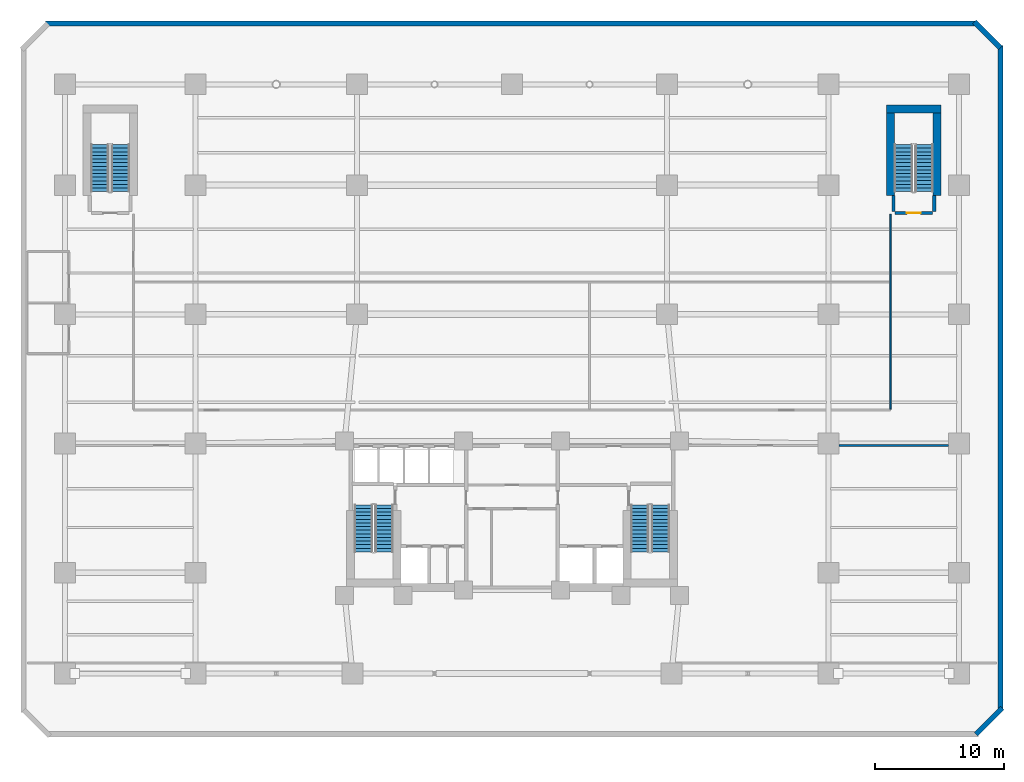
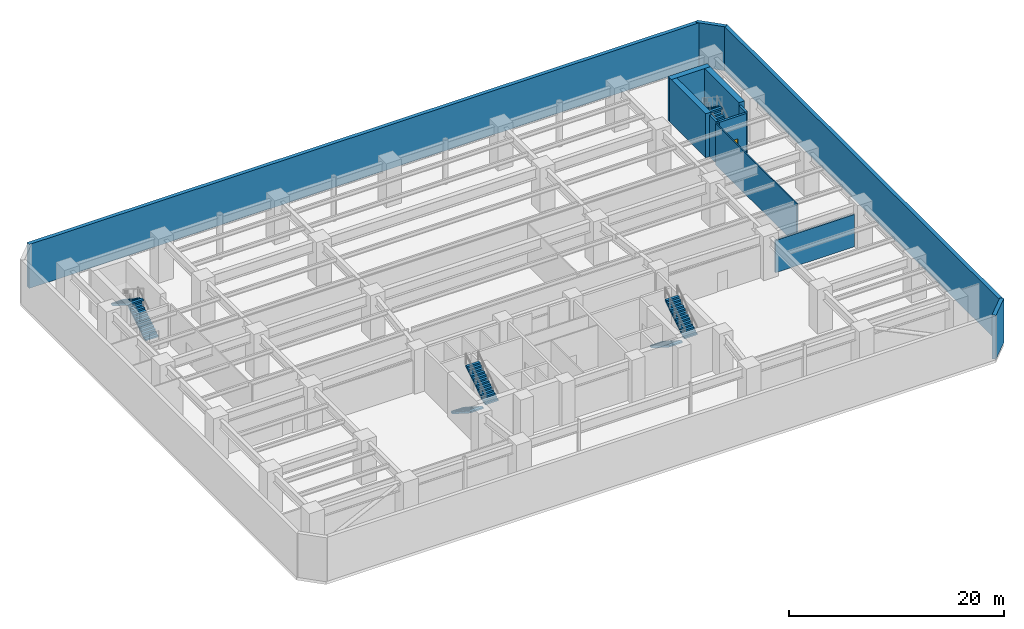
# One storey, part 9 of 12: 12 walls, 8 stair flights, 1 door, 1 opening, 4 elements without a shape of their own.
"""IFC4 building model written with IfcOpenShell, lengths in metres."""

from ifc_helpers import new_model, si_unit, direction, frame, frame_2d, origin, place, context, subcontext, project, spatial, polyline, rectangle, outline, extrude, material, layer, layer_set, type_object, element, fill, aggregate, save


model = new_model("IFC4")

# Units and contexts
model_context = context("Model", 3, precision=1e-05, world=origin(), true_north=direction((0.0, 1.0)))
body_context = subcontext(model_context, "Body", "Model", "MODEL_VIEW")
ifc_project = project(units=[si_unit("LENGTHUNIT", "METRE"), si_unit("AREAUNIT", "SQUARE_METRE"), si_unit("VOLUMEUNIT", "CUBIC_METRE"), si_unit("PLANEANGLEUNIT", "RADIAN"), si_unit("MASSUNIT", "GRAM", prefix="KILO")], contexts=[model_context])

# Site, building, storey
site_placement = place(None, origin())
site = spatial("IfcSite", under=ifc_project, at=site_placement, CompositionType="ELEMENT")
building_placement = place(site_placement, origin())
building = spatial("IfcBuilding", under=site, at=building_placement, Name="Quenlor Broadcast Tower", CompositionType="ELEMENT")
storey_placement = place(building_placement, frame((0.0, 0.0, -5.0)))
storey = spatial("IfcBuildingStorey", under=building, at=storey_placement, Name="B01", CompositionType="ELEMENT", Elevation=-5.0)

# Walls
ifc_material_1 = material(Name="Concrete C65/80", Category="concrete")
ifc_layer_1 = layer(ifc_material_1, 0.60009765625)
ifc_layer_set_1 = layer_set([ifc_layer_1], Name="Core Concrete C65/80 Shear Wall 600")
wall_type_1 = type_object("IfcWallType", Name="Core Concrete C65/80 Shear Wall 600", PredefinedType="SHEAR", material=ifc_layer_set_1)
wall_1_placement = place(storey_placement, frame((29.0, 20.89990234375, 0.0), z_axis=(0.0, 0.0, 1.0), x_axis=(1.0, 0.0, 0.0)))
element("IfcWall", 1, at=wall_1_placement, inside=storey, type_object=wall_type_1, Name="B01 Core Shear Wall ST4-N", PredefinedType="SHEAR", context=body_context, shape_type="SweptSolid", body=[
    extrude(rectangle(XDim=4.199951171875, YDim=0.60009765625, at=frame_2d((2.10009765625, 0.0))), origin(), (0.0, 0.0, 1.0), 5.0),
])
for number, where, z_axis, x_axis, name in (
    (2, (29.300048828125, 14.199951171875, 0.0), (0.0, 0.0, 1.0), (0.0, 1.0, 0.0), "B01 Core Shear Wall ST4-W"),
    (3, (32.89990234375, 14.199951171875, 0.0), (0.0, 0.0, 1.0), (0.0, 1.0, 0.0), "B01 Core Shear Wall ST4-E"),
):
    element("IfcWall", number, at=place(storey_placement, frame(where, z_axis=z_axis, x_axis=x_axis)), inside=storey, type_object=wall_type_1, Name=name, PredefinedType="SHEAR", context=body_context, shape_type="SweptSolid", body=[
        extrude(rectangle(XDim=6.699951171875, YDim=0.60009765625, at=frame_2d((3.35009765625, 0.0))), origin(), (0.0, 0.0, 1.0), 5.0),
    ])

# Wall, opening, door
ifc_material_2 = material(Name="Concrete C40/50", Category="concrete")
ifc_layer_2 = layer(ifc_material_2, 0.25)
ifc_layer_set_2 = layer_set([ifc_layer_2], Name="Fire Rated Concrete C40/50 Core Wall 250")
wall_type_2 = type_object("IfcWallType", Name="Fire Rated Concrete C40/50 Core Wall 250", PredefinedType="PARTITIONING", material=ifc_layer_set_2)
wall_2_placement = place(storey_placement, frame((29.64990234375, 12.840087890625, 0.0), z_axis=(0.0, 0.0, 1.0), x_axis=(1.0, 0.0, 0.0)))
wall_2 = element("IfcWall", 4, at=wall_2_placement, inside=storey, type_object=wall_type_2, Name="B01 Interior Wall CW-ST4-S", PredefinedType="PARTITIONING", context=body_context, shape_type="SweptSolid", body=[
    extrude(rectangle(XDim=2.900146484375, YDim=0.25, at=frame_2d((1.4501953125, 0.0))), origin(), (0.0, 0.0, 1.0), 4.699951171875),
])
opening_placement = place(wall_2_placement, frame((0.919921875, 0.0, 0.0)))
opening = element("IfcOpeningElement", 5, at=opening_placement, cuts=wall_2, Name="Opening FD-1", PredefinedType="OPENING", context=body_context, shape_type="SweptSolid", body=[
    extrude(rectangle(XDim=1.050048828125, YDim=2.14990234375, at=frame_2d((0.52490234375, 1.074951171875))), frame((0.0, 0.135009765625, 0.0), z_axis=(0.0, -1.0, 0.0), x_axis=(1.0, 0.0, 0.0)), (0.0, 0.0, 1.0), 0.27001953125),
])
ifc_material_3 = material(Name="Fire Rated Steel Door Leaf", Category="steel")
door_type = type_object("IfcDoorType", Name="Fire Isolated Stair Door 1050x2150", OperationType="NOTDEFINED", PredefinedType="DOOR", material=ifc_material_3)
door_placement = place(opening_placement, origin())
door = element("IfcDoor", 6, at=door_placement, inside=storey, type_object=door_type, Name="B01 Door DR-ST4", OperationType="SINGLE_SWING_RIGHT", OverallHeight=2.14990234375, OverallWidth=1.050048828125, PredefinedType="DOOR", context=body_context, shape_type="SweptSolid", body=[
    extrude(rectangle(XDim=1.050048828125, YDim=2.14990234375, at=frame_2d((0.52490234375, 1.074951171875))), frame((0.0, 0.02490234375, 0.0), z_axis=(0.0, -1.0, 0.0), x_axis=(1.0, 0.0, 0.0)), (0.0, 0.0, 1.0), 0.050048828125),
])
fill(opening, door)

# Walls
for number, where, z_axis, x_axis, name in (
    (7, (29.52001953125, 12.9599609375, 0.0), (0.0, 0.0, 1.0), (0.0, 1.0, 0.0), "B01 Interior Wall CW-ST4-W1"),
    (8, (32.679931640625, 12.9599609375, 0.0), (0.0, 0.0, 1.0), (0.0, 1.0, 0.0), "B01 Interior Wall CW-ST4-E1"),
):
    element("IfcWall", number, at=place(storey_placement, frame(where, z_axis=z_axis, x_axis=x_axis)), inside=storey, type_object=wall_type_2, Name=name, PredefinedType="PARTITIONING", context=body_context, shape_type="SweptSolid", body=[
        extrude(rectangle(XDim=1.219970703125, YDim=0.25, at=frame_2d((0.60986328125, 0.0))), origin(), (0.0, 0.0, 1.0), 4.699951171875),
    ])
ifc_material_4 = material(Name="Gypsum Fireboard Partition", Category="other")
ifc_layer_3 = layer(ifc_material_4, 0.159912109375)
ifc_layer_set_3 = layer_set([ifc_layer_3], Name="Fire Rated Shaft and Corridor Partition 160")
wall_type_3 = type_object("IfcWallType", Name="Fire Rated Shaft and Corridor Partition 160", PredefinedType="PARTITIONING", material=ifc_layer_set_3)
wall_3_placement = place(storey_placement, frame((25.302001953125, -5.14990234375, 0.0), z_axis=(0.0, 0.0, 1.0), x_axis=(1.0, 0.0, 0.0)))
element("IfcWall", 9, at=wall_3_placement, inside=storey, type_object=wall_type_3, Name="B01 Interior Wall PW-PD-CSES2", PredefinedType="PARTITIONING", context=body_context, shape_type="SweptSolid", body=[
    extrude(rectangle(XDim=8.49609375, YDim=0.159912109375, at=frame_2d((4.248046875, 0.0))), origin(), (0.0, 0.0, 1.0), 3.676025390625),
])
ifc_material_5 = material(Name="Gypsum Plasterboard Partition", Category="other")
ifc_layer_4 = layer(ifc_material_5, 0.1201171875)
ifc_layer_set_4 = layer_set([ifc_layer_4], Name="Standard Office Partition 120")
wall_type_4 = type_object("IfcWallType", Name="Standard Office Partition 120", PredefinedType="PARTITIONING", material=ifc_layer_set_4)
wall_4_placement = place(storey_placement, frame((29.300048828125, -2.337890625, 0.0), z_axis=(0.0, 0.0, 1.0), x_axis=(0.0, 1.0, 0.0)))
element("IfcWall", 10, at=wall_4_placement, inside=storey, type_object=wall_type_4, Name="B01 Interior Wall PW-PD-LE", PredefinedType="PARTITIONING", context=body_context, shape_type="SweptSolid", body=[
    extrude(rectangle(XDim=15.087890625, YDim=0.1201171875, at=frame_2d((7.5439453125, 0.0))), origin(), (0.0, 0.0, 1.0), 4.699951171875),
])
ifc_material_6 = material(Name="Concrete C50/60", Category="concrete")
ifc_layer_5 = layer(ifc_material_6, 0.39990234375)
ifc_layer_set_5 = layer_set([ifc_layer_5], Name="Upper Basement Concrete C50/60 Retaining Wall 400")
wall_type_5 = type_object("IfcWallType", Name="Upper Basement Concrete C50/60 Retaining Wall 400", PredefinedType="USERDEFINED", material=ifc_layer_set_5)
wall_5_placement = place(storey_placement, frame((-36.1171875, 27.5, 0.0), z_axis=(0.0, 0.0, 1.0), x_axis=(1.0, 0.0, 0.0)))
element("IfcWall", 11, at=wall_5_placement, inside=storey, type_object=wall_type_5, Name="B01 Perimeter Retaining Wall 4", ObjectType="RETAININGWALL", PredefinedType="USERDEFINED", context=body_context, shape_type="SweptSolid", body=[
    extrude(rectangle(XDim=72.034423828125, YDim=0.39990234375, at=frame_2d((36.01708984375, 0.0))), origin(), (0.0, 0.0, 1.0), 5.0),
])
wall_6_placement = place(storey_placement, frame((35.775634765625, 27.641357421875, 0.0), z_axis=(0.0, 0.0, 1.0), x_axis=(0.707149420363, -0.707064139439, 0.0)))
element("IfcWall", 12, at=wall_6_placement, inside=storey, type_object=wall_type_5, Name="B01 Perimeter Retaining Wall 5", ObjectType="RETAININGWALL", PredefinedType="USERDEFINED", context=body_context, shape_type="SweptSolid", body=[
    extrude(rectangle(XDim=2.86279296875, YDim=0.39990234375, at=frame_2d((1.431396484375, 0.0))), origin(), (0.0, 0.0, 1.0), 5.0),
])
wall_7_placement = place(storey_placement, frame((37.800048828125, 25.817138671875, 0.0), z_axis=(0.0, 0.0, 1.0), x_axis=(0.0, -1.0, 0.0)))
element("IfcWall", 13, at=wall_7_placement, inside=storey, type_object=wall_type_5, Name="B01 Perimeter Retaining Wall 6", ObjectType="RETAININGWALL", PredefinedType="USERDEFINED", context=body_context, shape_type="SweptSolid", body=[
    extrude(rectangle(XDim=51.434326171875, YDim=0.39990234375, at=frame_2d((25.71728515625, 0.0))), origin(), (0.0, 0.0, 1.0), 5.0),
])
wall_8_placement = place(storey_placement, frame((37.94140625, -25.4755859375, 0.0), z_axis=(0.0, 0.0, 1.0), x_axis=(-0.707064139439, -0.707149420363, 0.0)))
element("IfcWall", 14, at=wall_8_placement, inside=storey, type_object=wall_type_5, Name="B01 Perimeter Retaining Wall 7", ObjectType="RETAININGWALL", PredefinedType="USERDEFINED", context=body_context, shape_type="SweptSolid", body=[
    extrude(rectangle(XDim=2.86279296875, YDim=0.39990234375, at=frame_2d((1.431396484375, 0.0))), origin(), (0.0, 0.0, 1.0), 5.0),
])

# Stair, stair flights
ifc_material_7 = material(Name="Precast concrete C40/50", Category="concrete")
stair_type = type_object("IfcStairType", Name="Precast Concrete C40/50 Dogleg Stair H500", PredefinedType="HALF_TURN_STAIR", material=ifc_material_7)
stair_1_placement = place(storey_placement, origin())
stair_1 = element("IfcStair", 15, at=stair_1_placement, inside=storey, type_object=stair_type, Name="B01 West Core Fire-Isolated Exit Stair ST-1", PredefinedType="HALF_TURN_STAIR")
ifc_material_8 = material(Name="Precast concrete C40/50", Category="concrete")
ifc_layer_6 = layer(ifc_material_8, 0.18505859375)
ifc_layer_set_6 = layer_set([ifc_layer_6], Name="Precast Concrete C40/50 Stair Flight H500")
stair_flight_type = type_object("IfcStairFlightType", Name="Precast Concrete C40/50 Stair Flight H500", PredefinedType="STRAIGHT", material=ifc_layer_set_6)
stair_flight_1_placement = place(storey_placement, frame((-11.5, -9.75, 0.0), z_axis=(0.0, 0.0, 1.0), x_axis=(0.0, -1.0, 0.0)))
stair_flight_1 = element("IfcStairFlight", 16, at=stair_flight_1_placement, type_object=stair_flight_type, Name="ST-1 flight 1", NumberOfRisers=14, NumberOfTreads=13, PredefinedType="STRAIGHT", RiserHeight=0.178571429, TreadLength=0.28, context=body_context, shape_type="SweptSolid", body=[
    extrude(outline(polyline([(0.0, 0.0), (0.0, 0.178466796875), (0.280029296875, 0.178466796875), (0.280029296875, 0.357177734375), (0.56005859375, 0.357177734375), (0.56005859375, 0.53564453125), (0.840087890625, 0.53564453125), (0.840087890625, 0.71435546875), (1.1201171875, 0.71435546875), (1.1201171875, 0.892822265625), (1.39990234375, 0.892822265625), (1.39990234375, 1.071533203125), (1.679931640625, 1.071533203125), (1.679931640625, 1.25), (1.9599609375, 1.25), (1.9599609375, 1.428466796875), (2.239990234375, 1.428466796875), (2.239990234375, 1.607177734375), (2.52001953125, 1.607177734375), (2.52001953125, 1.78564453125), (2.800048828125, 1.78564453125), (2.800048828125, 1.96435546875), (3.080078125, 1.96435546875), (3.080078125, 2.142822265625), (3.360107421875, 2.142822265625), (3.360107421875, 2.321533203125), (3.639892578125, 2.321533203125), (3.639892578125, 2.5), (3.639892578125, 2.1435546875), (0.27880859375, 0.0), (0.0, 0.0)])), frame((0.0, 0.699951171875, 0.0), z_axis=(0.0, -1.0, 0.0), x_axis=(1.0, 0.0, 0.0)), (0.0, 0.0, 1.0), 1.39990234375),
])
stair_flight_2_placement = place(storey_placement, frame((-9.89990234375, -13.389892578125, 2.5), z_axis=(0.0, 0.0, 1.0), x_axis=(0.0, 1.0, 0.0)))
stair_flight_2 = element("IfcStairFlight", 17, at=stair_flight_2_placement, type_object=stair_flight_type, Name="ST-1 flight 2", NumberOfRisers=14, NumberOfTreads=13, PredefinedType="STRAIGHT", RiserHeight=0.178571429, TreadLength=0.28, context=body_context, shape_type="SweptSolid", body=[
    extrude(outline(polyline([(0.0, 0.0), (0.0, 0.178466796875), (0.280029296875, 0.178466796875), (0.280029296875, 0.357177734375), (0.56005859375, 0.357177734375), (0.56005859375, 0.53564453125), (0.840087890625, 0.53564453125), (0.840087890625, 0.71435546875), (1.1201171875, 0.71435546875), (1.1201171875, 0.892822265625), (1.39990234375, 0.892822265625), (1.39990234375, 1.071533203125), (1.679931640625, 1.071533203125), (1.679931640625, 1.25), (1.9599609375, 1.25), (1.9599609375, 1.428466796875), (2.239990234375, 1.428466796875), (2.239990234375, 1.607177734375), (2.52001953125, 1.607177734375), (2.52001953125, 1.78564453125), (2.800048828125, 1.78564453125), (2.800048828125, 1.96435546875), (3.080078125, 1.96435546875), (3.080078125, 2.142822265625), (3.360107421875, 2.142822265625), (3.360107421875, 2.321533203125), (3.639892578125, 2.321533203125), (3.639892578125, 2.5), (3.639892578125, 2.1435546875), (0.27880859375, 0.0), (0.0, 0.0)])), frame((0.0, 0.699951171875, 0.0), z_axis=(0.0, -1.0, 0.0), x_axis=(1.0, 0.0, 0.0)), (0.0, 0.0, 1.0), 1.39990234375),
])
aggregate(stair_1, [stair_flight_1, stair_flight_2])

stair_2_placement = place(storey_placement, origin())
stair_2 = element("IfcStair", 18, at=stair_2_placement, inside=storey, type_object=stair_type, Name="B01 East Core Fire-Isolated Exit Stair ST-2", PredefinedType="HALF_TURN_STAIR")
stair_flight_3_placement = place(storey_placement, frame((9.89990234375, -9.75, 0.0), z_axis=(0.0, 0.0, 1.0), x_axis=(0.0, -1.0, 0.0)))
stair_flight_3 = element("IfcStairFlight", 19, at=stair_flight_3_placement, type_object=stair_flight_type, Name="ST-2 flight 1", NumberOfRisers=14, NumberOfTreads=13, PredefinedType="STRAIGHT", RiserHeight=0.178571429, TreadLength=0.28, context=body_context, shape_type="SweptSolid", body=[
    extrude(outline(polyline([(0.0, 0.0), (0.0, 0.178466796875), (0.280029296875, 0.178466796875), (0.280029296875, 0.357177734375), (0.56005859375, 0.357177734375), (0.56005859375, 0.53564453125), (0.840087890625, 0.53564453125), (0.840087890625, 0.71435546875), (1.1201171875, 0.71435546875), (1.1201171875, 0.892822265625), (1.39990234375, 0.892822265625), (1.39990234375, 1.071533203125), (1.679931640625, 1.071533203125), (1.679931640625, 1.25), (1.9599609375, 1.25), (1.9599609375, 1.428466796875), (2.239990234375, 1.428466796875), (2.239990234375, 1.607177734375), (2.52001953125, 1.607177734375), (2.52001953125, 1.78564453125), (2.800048828125, 1.78564453125), (2.800048828125, 1.96435546875), (3.080078125, 1.96435546875), (3.080078125, 2.142822265625), (3.360107421875, 2.142822265625), (3.360107421875, 2.321533203125), (3.639892578125, 2.321533203125), (3.639892578125, 2.5), (3.639892578125, 2.1435546875), (0.27880859375, 0.0), (0.0, 0.0)])), frame((0.0, 0.699951171875, 0.0), z_axis=(0.0, -1.0, 0.0), x_axis=(1.0, 0.0, 0.0)), (0.0, 0.0, 1.0), 1.39990234375),
])
stair_flight_4_placement = place(storey_placement, frame((11.5, -13.389892578125, 2.5), z_axis=(0.0, 0.0, 1.0), x_axis=(0.0, 1.0, 0.0)))
stair_flight_4 = element("IfcStairFlight", 20, at=stair_flight_4_placement, type_object=stair_flight_type, Name="ST-2 flight 2", NumberOfRisers=14, NumberOfTreads=13, PredefinedType="STRAIGHT", RiserHeight=0.178571429, TreadLength=0.28, context=body_context, shape_type="SweptSolid", body=[
    extrude(outline(polyline([(0.0, 0.0), (0.0, 0.178466796875), (0.280029296875, 0.178466796875), (0.280029296875, 0.357177734375), (0.56005859375, 0.357177734375), (0.56005859375, 0.53564453125), (0.840087890625, 0.53564453125), (0.840087890625, 0.71435546875), (1.1201171875, 0.71435546875), (1.1201171875, 0.892822265625), (1.39990234375, 0.892822265625), (1.39990234375, 1.071533203125), (1.679931640625, 1.071533203125), (1.679931640625, 1.25), (1.9599609375, 1.25), (1.9599609375, 1.428466796875), (2.239990234375, 1.428466796875), (2.239990234375, 1.607177734375), (2.52001953125, 1.607177734375), (2.52001953125, 1.78564453125), (2.800048828125, 1.78564453125), (2.800048828125, 1.96435546875), (3.080078125, 1.96435546875), (3.080078125, 2.142822265625), (3.360107421875, 2.142822265625), (3.360107421875, 2.321533203125), (3.639892578125, 2.321533203125), (3.639892578125, 2.5), (3.639892578125, 2.1435546875), (0.27880859375, 0.0), (0.0, 0.0)])), frame((0.0, 0.699951171875, 0.0), z_axis=(0.0, -1.0, 0.0), x_axis=(1.0, 0.0, 0.0)), (0.0, 0.0, 1.0), 1.39990234375),
])
aggregate(stair_2, [stair_flight_3, stair_flight_4])

stair_3_placement = place(storey_placement, origin())
stair_3 = element("IfcStair", 21, at=stair_3_placement, inside=storey, type_object=stair_type, Name="B01 Station Podium North-West Exit Stair ST-3", PredefinedType="HALF_TURN_STAIR")
stair_flight_5_placement = place(storey_placement, frame((-30.300048828125, 14.5, 0.0), z_axis=(0.0, 0.0, 1.0), x_axis=(0.0, 1.0, 0.0)))
stair_flight_5 = element("IfcStairFlight", 22, at=stair_flight_5_placement, type_object=stair_flight_type, Name="ST-3 flight 1", NumberOfRisers=14, NumberOfTreads=13, PredefinedType="STRAIGHT", RiserHeight=0.178571429, TreadLength=0.28, context=body_context, shape_type="SweptSolid", body=[
    extrude(outline(polyline([(0.0, 0.0), (0.0, 0.178466796875), (0.280029296875, 0.178466796875), (0.280029296875, 0.357177734375), (0.56005859375, 0.357177734375), (0.56005859375, 0.53564453125), (0.840087890625, 0.53564453125), (0.840087890625, 0.71435546875), (1.1201171875, 0.71435546875), (1.1201171875, 0.892822265625), (1.39990234375, 0.892822265625), (1.39990234375, 1.071533203125), (1.679931640625, 1.071533203125), (1.679931640625, 1.25), (1.9599609375, 1.25), (1.9599609375, 1.428466796875), (2.239990234375, 1.428466796875), (2.239990234375, 1.607177734375), (2.52001953125, 1.607177734375), (2.52001953125, 1.78564453125), (2.800048828125, 1.78564453125), (2.800048828125, 1.96435546875), (3.080078125, 1.96435546875), (3.080078125, 2.142822265625), (3.360107421875, 2.142822265625), (3.360107421875, 2.321533203125), (3.639892578125, 2.321533203125), (3.639892578125, 2.5), (3.639892578125, 2.1435546875), (0.27880859375, 0.0), (0.0, 0.0)])), frame((0.0, 0.699951171875, 0.0), z_axis=(0.0, -1.0, 0.0), x_axis=(1.0, 0.0, 0.0)), (0.0, 0.0, 1.0), 1.39990234375),
])
stair_flight_6_placement = place(storey_placement, frame((-31.89990234375, 18.139892578125, 2.5), z_axis=(0.0, 0.0, 1.0), x_axis=(0.0, -1.0, 0.0)))
stair_flight_6 = element("IfcStairFlight", 23, at=stair_flight_6_placement, type_object=stair_flight_type, Name="ST-3 flight 2", NumberOfRisers=14, NumberOfTreads=13, PredefinedType="STRAIGHT", RiserHeight=0.178571429, TreadLength=0.28, context=body_context, shape_type="SweptSolid", body=[
    extrude(outline(polyline([(0.0, 0.0), (0.0, 0.178466796875), (0.280029296875, 0.178466796875), (0.280029296875, 0.357177734375), (0.56005859375, 0.357177734375), (0.56005859375, 0.53564453125), (0.840087890625, 0.53564453125), (0.840087890625, 0.71435546875), (1.1201171875, 0.71435546875), (1.1201171875, 0.892822265625), (1.39990234375, 0.892822265625), (1.39990234375, 1.071533203125), (1.679931640625, 1.071533203125), (1.679931640625, 1.25), (1.9599609375, 1.25), (1.9599609375, 1.428466796875), (2.239990234375, 1.428466796875), (2.239990234375, 1.607177734375), (2.52001953125, 1.607177734375), (2.52001953125, 1.78564453125), (2.800048828125, 1.78564453125), (2.800048828125, 1.96435546875), (3.080078125, 1.96435546875), (3.080078125, 2.142822265625), (3.360107421875, 2.142822265625), (3.360107421875, 2.321533203125), (3.639892578125, 2.321533203125), (3.639892578125, 2.5), (3.639892578125, 2.1435546875), (0.27880859375, 0.0), (0.0, 0.0)])), frame((0.0, 0.699951171875, 0.0), z_axis=(0.0, -1.0, 0.0), x_axis=(1.0, 0.0, 0.0)), (0.0, 0.0, 1.0), 1.39990234375),
])
aggregate(stair_3, [stair_flight_5, stair_flight_6])

stair_4_placement = place(storey_placement, origin())
stair_4 = element("IfcStair", 24, at=stair_4_placement, inside=storey, type_object=stair_type, Name="B01 Station Podium North-East Exit Stair ST-4", PredefinedType="HALF_TURN_STAIR")
stair_flight_7_placement = place(storey_placement, frame((31.89990234375, 14.5, 0.0), z_axis=(0.0, 0.0, 1.0), x_axis=(0.0, 1.0, 0.0)))
stair_flight_7 = element("IfcStairFlight", 25, at=stair_flight_7_placement, type_object=stair_flight_type, Name="ST-4 flight 1", NumberOfRisers=14, NumberOfTreads=13, PredefinedType="STRAIGHT", RiserHeight=0.178571429, TreadLength=0.28, context=body_context, shape_type="SweptSolid", body=[
    extrude(outline(polyline([(0.0, 0.0), (0.0, 0.178466796875), (0.280029296875, 0.178466796875), (0.280029296875, 0.357177734375), (0.56005859375, 0.357177734375), (0.56005859375, 0.53564453125), (0.840087890625, 0.53564453125), (0.840087890625, 0.71435546875), (1.1201171875, 0.71435546875), (1.1201171875, 0.892822265625), (1.39990234375, 0.892822265625), (1.39990234375, 1.071533203125), (1.679931640625, 1.071533203125), (1.679931640625, 1.25), (1.9599609375, 1.25), (1.9599609375, 1.428466796875), (2.239990234375, 1.428466796875), (2.239990234375, 1.607177734375), (2.52001953125, 1.607177734375), (2.52001953125, 1.78564453125), (2.800048828125, 1.78564453125), (2.800048828125, 1.96435546875), (3.080078125, 1.96435546875), (3.080078125, 2.142822265625), (3.360107421875, 2.142822265625), (3.360107421875, 2.321533203125), (3.639892578125, 2.321533203125), (3.639892578125, 2.5), (3.639892578125, 2.1435546875), (0.27880859375, 0.0), (0.0, 0.0)])), frame((0.0, 0.699951171875, 0.0), z_axis=(0.0, -1.0, 0.0), x_axis=(1.0, 0.0, 0.0)), (0.0, 0.0, 1.0), 1.39990234375),
])
stair_flight_8_placement = place(storey_placement, frame((30.300048828125, 18.139892578125, 2.5), z_axis=(0.0, 0.0, 1.0), x_axis=(0.0, -1.0, 0.0)))
stair_flight_8 = element("IfcStairFlight", 26, at=stair_flight_8_placement, type_object=stair_flight_type, Name="ST-4 flight 2", NumberOfRisers=14, NumberOfTreads=13, PredefinedType="STRAIGHT", RiserHeight=0.178571429, TreadLength=0.28, context=body_context, shape_type="SweptSolid", body=[
    extrude(outline(polyline([(0.0, 0.0), (0.0, 0.178466796875), (0.280029296875, 0.178466796875), (0.280029296875, 0.357177734375), (0.56005859375, 0.357177734375), (0.56005859375, 0.53564453125), (0.840087890625, 0.53564453125), (0.840087890625, 0.71435546875), (1.1201171875, 0.71435546875), (1.1201171875, 0.892822265625), (1.39990234375, 0.892822265625), (1.39990234375, 1.071533203125), (1.679931640625, 1.071533203125), (1.679931640625, 1.25), (1.9599609375, 1.25), (1.9599609375, 1.428466796875), (2.239990234375, 1.428466796875), (2.239990234375, 1.607177734375), (2.52001953125, 1.607177734375), (2.52001953125, 1.78564453125), (2.800048828125, 1.78564453125), (2.800048828125, 1.96435546875), (3.080078125, 1.96435546875), (3.080078125, 2.142822265625), (3.360107421875, 2.142822265625), (3.360107421875, 2.321533203125), (3.639892578125, 2.321533203125), (3.639892578125, 2.5), (3.639892578125, 2.1435546875), (0.27880859375, 0.0), (0.0, 0.0)])), frame((0.0, 0.699951171875, 0.0), z_axis=(0.0, -1.0, 0.0), x_axis=(1.0, 0.0, 0.0)), (0.0, 0.0, 1.0), 1.39990234375),
])
aggregate(stair_4, [stair_flight_7, stair_flight_8])

save(model, "model.ifc")
